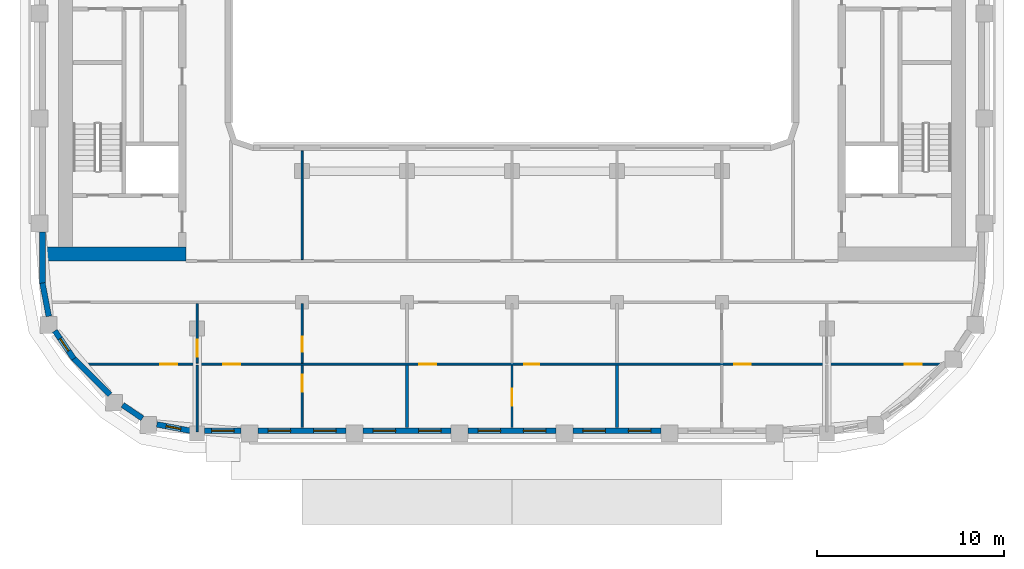
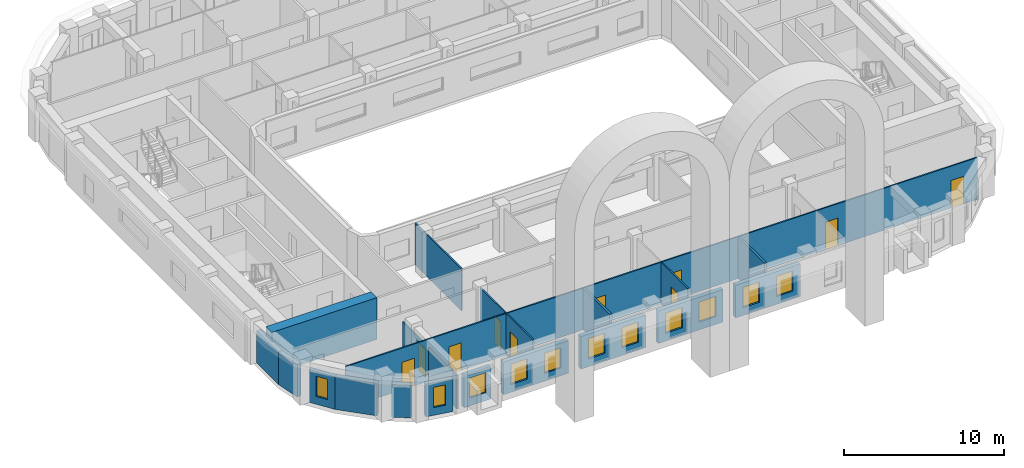
# One storey, part 2 of 18: 21 walls, 11 windows, 10 doors, 21 openings.
"""IFC4 building model written with IfcOpenShell, lengths in metres."""

from ifc_helpers import new_model, si_unit, direction, frame, frame_2d, origin, place, context, subcontext, project, spatial, rectangle, extrude, material, layer, layer_set, type_object, element, fill, save


model = new_model("IFC4")

# Units and contexts
model_context = context("Model", 3, precision=1e-05, world=origin(), true_north=direction((0.0, 1.0)))
body_context = subcontext(model_context, "Body", "Model", "MODEL_VIEW")
ifc_project = project(units=[si_unit("LENGTHUNIT", "METRE"), si_unit("AREAUNIT", "SQUARE_METRE"), si_unit("VOLUMEUNIT", "CUBIC_METRE"), si_unit("PLANEANGLEUNIT", "RADIAN"), si_unit("MASSUNIT", "GRAM", prefix="KILO")], contexts=[model_context])

# Site, building, storey
site_placement = place(None, origin())
site = spatial("IfcSite", under=ifc_project, at=site_placement, CompositionType="ELEMENT")
building_placement = place(site_placement, origin())
building = spatial("IfcBuilding", under=site, at=building_placement, Name="Kiln Ring Residences", CompositionType="ELEMENT")
storey_placement = place(building_placement, frame((0.0, 0.0, 209.89990234375)))
storey = spatial("IfcBuildingStorey", under=building, at=storey_placement, Name="L54", CompositionType="ELEMENT", Elevation=209.89990234375)

# Walls
ifc_material_1 = material(Name="Concrete C60/75", Category="concrete")
ifc_layer_1 = layer(ifc_material_1, 0.75)
ifc_layer_set_1 = layer_set([ifc_layer_1], Name="CORE-WALL-RC750")
wall_type_1 = type_object("IfcWallType", Name="CORE-WALL-RC750", PredefinedType="SHEAR", material=ifc_layer_set_1)
wall_1_placement = place(storey_placement, frame((-17.39990234375, -12.824951171875, 0.0), z_axis=(0.0, 0.0, 1.0), x_axis=(-1.0, 0.0, 0.0)))
element("IfcWall", 1, at=wall_1_placement, inside=storey, type_object=wall_type_1, Name="Core wall west L54 5", PredefinedType="SHEAR", context=body_context, shape_type="SweptSolid", body=[
    extrude(rectangle(XDim=7.60009765625, YDim=0.75, at=frame_2d((3.800048828125, 0.0))), origin(), (0.0, 0.0, 1.0), 3.2001953125),
])
ifc_material_2 = material(Name="Brick masonry, dark clay brick", Category="masonry")
ifc_layer_2 = layer(ifc_material_2, 0.300048828125)
ifc_layer_set_2 = layer_set([ifc_layer_2], Name="EW-300 BRICK WALL")
wall_type_2 = type_object("IfcWallType", Name="EW-300 BRICK WALL", PredefinedType="SOLIDWALL", material=ifc_layer_set_2)
wall_2_placement = place(storey_placement, frame((-23.39697265625, -18.390869140625, 0.0), z_axis=(0.0, 0.0, 1.0), x_axis=(0.707106781187, -0.707106781187, 0.0)))
element("IfcWall", 2, at=wall_2_placement, inside=storey, type_object=wall_type_2, Name="Facade wall L54 1", PredefinedType="SOLIDWALL", context=body_context, shape_type="SweptSolid", body=[
    extrude(rectangle(XDim=2.75, YDim=0.300048828125, at=frame_2d((1.375, 0.0))), origin(), (0.0, 0.0, 1.0), 2.5),
])
wall_3_placement = place(storey_placement, frame((-20.775146484375, -20.876220703125, 0.0), z_axis=(0.0, 0.0, 1.0), x_axis=(0.827075824828, -0.562090366388, 0.0)))
element("IfcWall", 3, at=wall_3_placement, inside=storey, type_object=wall_type_2, Name="Facade wall L54 2", PredefinedType="SOLIDWALL", context=body_context, shape_type="SweptSolid", body=[
    extrude(rectangle(XDim=1.27685546875, YDim=0.300048828125, at=frame_2d((0.638427734375, 0.0))), origin(), (0.0, 0.0, 1.0), 2.5),
])

# Wall, opening, window
wall_4_placement = place(storey_placement, frame((-18.946044921875, -21.914306640625, 0.0), z_axis=(0.0, 0.0, 1.0), x_axis=(0.98230529033, -0.187286722942, 0.0)))
wall_4 = element("IfcWall", 4, at=wall_4_placement, inside=storey, type_object=wall_type_2, Name="Facade wall L54 3", PredefinedType="SOLIDWALL", context=body_context, shape_type="SweptSolid", body=[
    extrude(rectangle(XDim=1.798828125, YDim=0.300048828125, at=frame_2d((0.8994140625, 0.0))), origin(), (0.0, 0.0, 1.0), 2.5),
])
opening_1_placement = place(wall_4_placement, frame((0.49951171875, 0.0, 0.60009765625)))
opening_1 = element("IfcOpeningElement", 5, at=opening_1_placement, cuts=wall_4, Name="Opening W5", PredefinedType="OPENING", context=body_context, shape_type="SweptSolid", body=[
    extrude(rectangle(XDim=0.800048828125, YDim=1.550048828125, at=frame_2d((0.39990234375, 0.77490234375))), frame((0.0, 0.159912109375, 0.0), z_axis=(0.0, -1.0, 0.0), x_axis=(1.0, 0.0, 0.0)), (0.0, 0.0, 1.0), 0.320068359375),
])
ifc_material_3 = material(Name="Aluminium frame with double glazing", Category="aluminium")
window_type_1 = type_object("IfcWindowType", Name="WINDOW 800 x 1550", PartitioningType="SINGLE_PANEL", PredefinedType="WINDOW", material=ifc_material_3)
window_1_placement = place(opening_1_placement, origin())
window_1 = element("IfcWindow", 6, at=window_1_placement, inside=storey, type_object=window_type_1, Name="Window L54 1", OverallHeight=1.550048828125, OverallWidth=0.800048828125, PartitioningType="SINGLE_PANEL", PredefinedType="WINDOW", context=body_context, shape_type="SweptSolid", body=[
    extrude(rectangle(XDim=0.800048828125, YDim=1.550048828125, at=frame_2d((0.39990234375, 0.77490234375))), frame((0.0, 0.030029296875, 0.0), z_axis=(0.0, -1.0, 0.0), x_axis=(1.0, 0.0, 0.0)), (0.0, 0.0, 1.0), 0.06005859375),
])
fill(opening_1, window_1)

wall_5_placement = place(storey_placement, frame((-16.39990234375, -22.25, 0.0), z_axis=(0.0, 0.0, 1.0), x_axis=(1.0, 0.0, 0.0)))
wall_5 = element("IfcWall", 7, at=wall_5_placement, inside=storey, type_object=wall_type_2, Name="Facade wall L54 4", PredefinedType="SOLIDWALL", context=body_context, shape_type="SweptSolid", body=[
    extrude(rectangle(XDim=1.949951171875, YDim=0.300048828125, at=frame_2d((0.97509765625, 0.0))), origin(), (0.0, 0.0, 1.0), 2.5),
])
opening_2_placement = place(wall_5_placement, frame((0.375, 0.0, 0.60009765625)))
opening_2 = element("IfcOpeningElement", 8, at=opening_2_placement, cuts=wall_5, Name="Opening W1", PredefinedType="OPENING", context=body_context, shape_type="SweptSolid", body=[
    extrude(rectangle(XDim=1.199951171875, YDim=1.550048828125, at=frame_2d((0.60009765625, 0.77490234375))), frame((0.0, 0.159912109375, 0.0), z_axis=(0.0, -1.0, 0.0), x_axis=(1.0, 0.0, 0.0)), (0.0, 0.0, 1.0), 0.320068359375),
])
ifc_material_4 = material(Name="Aluminium frame with double glazing", Category="aluminium")
window_type_2 = type_object("IfcWindowType", Name="WINDOW 1200 x 1550", PartitioningType="SINGLE_PANEL", PredefinedType="WINDOW", material=ifc_material_4)
window_2_placement = place(opening_2_placement, origin())
window_2 = element("IfcWindow", 9, at=window_2_placement, inside=storey, type_object=window_type_2, Name="Window L54 2", OverallHeight=1.550048828125, OverallWidth=1.199951171875, PartitioningType="SINGLE_PANEL", PredefinedType="WINDOW", context=body_context, shape_type="SweptSolid", body=[
    extrude(rectangle(XDim=1.199951171875, YDim=1.550048828125, at=frame_2d((0.60009765625, 0.77490234375))), frame((0.0, 0.030029296875, 0.0), z_axis=(0.0, -1.0, 0.0), x_axis=(1.0, 0.0, 0.0)), (0.0, 0.0, 1.0), 0.06005859375),
])
fill(opening_2, window_2)

# Wall, openings, windows
wall_6_placement = place(storey_placement, frame((-13.550048828125, -22.25, 0.0), z_axis=(0.0, 0.0, 1.0), x_axis=(1.0, 0.0, 0.0)))
wall_6 = element("IfcWall", 10, at=wall_6_placement, inside=storey, type_object=wall_type_2, Name="Facade wall L54 5", PredefinedType="SOLIDWALL", context=body_context, shape_type="SweptSolid", body=[
    extrude(rectangle(XDim=4.699951171875, YDim=0.300048828125, at=frame_2d((2.35009765625, 0.0))), origin(), (0.0, 0.0, 1.0), 2.5),
])
opening_3_placement = place(wall_6_placement, frame((0.53759765625, 0.0, 0.60009765625)))
opening_3 = element("IfcOpeningElement", 11, at=opening_3_placement, cuts=wall_6, Name="Opening W1", PredefinedType="OPENING", context=body_context, shape_type="SweptSolid", body=[
    extrude(rectangle(XDim=1.199951171875, YDim=1.550048828125, at=frame_2d((0.60009765625, 0.77490234375))), frame((0.0, 0.159912109375, 0.0), z_axis=(0.0, -1.0, 0.0), x_axis=(1.0, 0.0, 0.0)), (0.0, 0.0, 1.0), 0.320068359375),
])
opening_4_placement = place(wall_6_placement, frame((2.96240234375, 0.0, 0.60009765625)))
opening_4 = element("IfcOpeningElement", 12, at=opening_4_placement, cuts=wall_6, Name="Opening W1", PredefinedType="OPENING", context=body_context, shape_type="SweptSolid", body=[
    extrude(rectangle(XDim=1.199951171875, YDim=1.550048828125, at=frame_2d((0.60009765625, 0.77490234375))), frame((0.0, 0.159912109375, 0.0), z_axis=(0.0, -1.0, 0.0), x_axis=(1.0, 0.0, 0.0)), (0.0, 0.0, 1.0), 0.320068359375),
])
window_3_placement = place(opening_3_placement, origin())
window_3 = element("IfcWindow", 13, at=window_3_placement, inside=storey, type_object=window_type_2, Name="Window L54 3", OverallHeight=1.550048828125, OverallWidth=1.199951171875, PartitioningType="SINGLE_PANEL", PredefinedType="WINDOW", context=body_context, shape_type="SweptSolid", body=[
    extrude(rectangle(XDim=1.199951171875, YDim=1.550048828125, at=frame_2d((0.60009765625, 0.77490234375))), frame((0.0, 0.030029296875, 0.0), z_axis=(0.0, -1.0, 0.0), x_axis=(1.0, 0.0, 0.0)), (0.0, 0.0, 1.0), 0.06005859375),
])
fill(opening_3, window_3)
window_4_placement = place(opening_4_placement, origin())
window_4 = element("IfcWindow", 14, at=window_4_placement, inside=storey, type_object=window_type_2, Name="Window L54 4", OverallHeight=1.550048828125, OverallWidth=1.199951171875, PartitioningType="SINGLE_PANEL", PredefinedType="WINDOW", context=body_context, shape_type="SweptSolid", body=[
    extrude(rectangle(XDim=1.199951171875, YDim=1.550048828125, at=frame_2d((0.60009765625, 0.77490234375))), frame((0.0, 0.030029296875, 0.0), z_axis=(0.0, -1.0, 0.0), x_axis=(1.0, 0.0, 0.0)), (0.0, 0.0, 1.0), 0.06005859375),
])
fill(opening_4, window_4)

wall_7_placement = place(storey_placement, frame((-7.949951171875, -22.25, 0.0), z_axis=(0.0, 0.0, 1.0), x_axis=(1.0, 0.0, 0.0)))
wall_7 = element("IfcWall", 15, at=wall_7_placement, inside=storey, type_object=wall_type_2, Name="Facade wall L54 6", PredefinedType="SOLIDWALL", context=body_context, shape_type="SweptSolid", body=[
    extrude(rectangle(XDim=4.699951171875, YDim=0.300048828125, at=frame_2d((2.35009765625, 0.0))), origin(), (0.0, 0.0, 1.0), 2.5),
])
opening_5_placement = place(wall_7_placement, frame((0.53759765625, 0.0, 0.60009765625)))
opening_5 = element("IfcOpeningElement", 16, at=opening_5_placement, cuts=wall_7, Name="Opening W1", PredefinedType="OPENING", context=body_context, shape_type="SweptSolid", body=[
    extrude(rectangle(XDim=1.199951171875, YDim=1.550048828125, at=frame_2d((0.60009765625, 0.77490234375))), frame((0.0, 0.159912109375, 0.0), z_axis=(0.0, -1.0, 0.0), x_axis=(1.0, 0.0, 0.0)), (0.0, 0.0, 1.0), 0.320068359375),
])
opening_6_placement = place(wall_7_placement, frame((2.96240234375, 0.0, 0.60009765625)))
opening_6 = element("IfcOpeningElement", 17, at=opening_6_placement, cuts=wall_7, Name="Opening W1", PredefinedType="OPENING", context=body_context, shape_type="SweptSolid", body=[
    extrude(rectangle(XDim=1.199951171875, YDim=1.550048828125, at=frame_2d((0.60009765625, 0.77490234375))), frame((0.0, 0.159912109375, 0.0), z_axis=(0.0, -1.0, 0.0), x_axis=(1.0, 0.0, 0.0)), (0.0, 0.0, 1.0), 0.320068359375),
])
window_5_placement = place(opening_5_placement, origin())
window_5 = element("IfcWindow", 18, at=window_5_placement, inside=storey, type_object=window_type_2, Name="Window L54 5", OverallHeight=1.550048828125, OverallWidth=1.199951171875, PartitioningType="SINGLE_PANEL", PredefinedType="WINDOW", context=body_context, shape_type="SweptSolid", body=[
    extrude(rectangle(XDim=1.199951171875, YDim=1.550048828125, at=frame_2d((0.60009765625, 0.77490234375))), frame((0.0, 0.030029296875, 0.0), z_axis=(0.0, -1.0, 0.0), x_axis=(1.0, 0.0, 0.0)), (0.0, 0.0, 1.0), 0.06005859375),
])
fill(opening_5, window_5)
window_6_placement = place(opening_6_placement, origin())
window_6 = element("IfcWindow", 19, at=window_6_placement, inside=storey, type_object=window_type_2, Name="Window L54 6", OverallHeight=1.550048828125, OverallWidth=1.199951171875, PartitioningType="SINGLE_PANEL", PredefinedType="WINDOW", context=body_context, shape_type="SweptSolid", body=[
    extrude(rectangle(XDim=1.199951171875, YDim=1.550048828125, at=frame_2d((0.60009765625, 0.77490234375))), frame((0.0, 0.030029296875, 0.0), z_axis=(0.0, -1.0, 0.0), x_axis=(1.0, 0.0, 0.0)), (0.0, 0.0, 1.0), 0.06005859375),
])
fill(opening_6, window_6)

wall_8_placement = place(storey_placement, frame((-2.35009765625, -22.25, 0.0), z_axis=(0.0, 0.0, 1.0), x_axis=(1.0, 0.0, 0.0)))
wall_8 = element("IfcWall", 20, at=wall_8_placement, inside=storey, type_object=wall_type_2, Name="Facade wall L54 7", PredefinedType="SOLIDWALL", context=body_context, shape_type="SweptSolid", body=[
    extrude(rectangle(XDim=4.7001953125, YDim=0.300048828125, at=frame_2d((2.35009765625, 0.0))), origin(), (0.0, 0.0, 1.0), 2.5),
])
opening_7_placement = place(wall_8_placement, frame((0.53759765625, 0.0, 0.60009765625)))
opening_7 = element("IfcOpeningElement", 21, at=opening_7_placement, cuts=wall_8, Name="Opening W1", PredefinedType="OPENING", context=body_context, shape_type="SweptSolid", body=[
    extrude(rectangle(XDim=1.199951171875, YDim=1.550048828125, at=frame_2d((0.60009765625, 0.77490234375))), frame((0.0, 0.159912109375, 0.0), z_axis=(0.0, -1.0, 0.0), x_axis=(1.0, 0.0, 0.0)), (0.0, 0.0, 1.0), 0.320068359375),
])
opening_8_placement = place(wall_8_placement, frame((2.96240234375, 0.0, 0.60009765625)))
opening_8 = element("IfcOpeningElement", 22, at=opening_8_placement, cuts=wall_8, Name="Opening W1", PredefinedType="OPENING", context=body_context, shape_type="SweptSolid", body=[
    extrude(rectangle(XDim=1.199951171875, YDim=1.550048828125, at=frame_2d((0.60009765625, 0.77490234375))), frame((0.0, 0.159912109375, 0.0), z_axis=(0.0, -1.0, 0.0), x_axis=(1.0, 0.0, 0.0)), (0.0, 0.0, 1.0), 0.320068359375),
])
window_7_placement = place(opening_7_placement, origin())
window_7 = element("IfcWindow", 23, at=window_7_placement, inside=storey, type_object=window_type_2, Name="Window L54 7", OverallHeight=1.550048828125, OverallWidth=1.199951171875, PartitioningType="SINGLE_PANEL", PredefinedType="WINDOW", context=body_context, shape_type="SweptSolid", body=[
    extrude(rectangle(XDim=1.199951171875, YDim=1.550048828125, at=frame_2d((0.60009765625, 0.77490234375))), frame((0.0, 0.030029296875, 0.0), z_axis=(0.0, -1.0, 0.0), x_axis=(1.0, 0.0, 0.0)), (0.0, 0.0, 1.0), 0.06005859375),
])
fill(opening_7, window_7)
window_8_placement = place(opening_8_placement, origin())
window_8 = element("IfcWindow", 24, at=window_8_placement, inside=storey, type_object=window_type_2, Name="Window L54 8", OverallHeight=1.550048828125, OverallWidth=1.199951171875, PartitioningType="SINGLE_PANEL", PredefinedType="WINDOW", context=body_context, shape_type="SweptSolid", body=[
    extrude(rectangle(XDim=1.199951171875, YDim=1.550048828125, at=frame_2d((0.60009765625, 0.77490234375))), frame((0.0, 0.030029296875, 0.0), z_axis=(0.0, -1.0, 0.0), x_axis=(1.0, 0.0, 0.0)), (0.0, 0.0, 1.0), 0.06005859375),
])
fill(opening_8, window_8)

wall_9_placement = place(storey_placement, frame((3.25, -22.25, 0.0), z_axis=(0.0, 0.0, 1.0), x_axis=(1.0, 0.0, 0.0)))
wall_9 = element("IfcWall", 25, at=wall_9_placement, inside=storey, type_object=wall_type_2, Name="Facade wall L54 8", PredefinedType="SOLIDWALL", context=body_context, shape_type="SweptSolid", body=[
    extrude(rectangle(XDim=4.699951171875, YDim=0.300048828125, at=frame_2d((2.35009765625, 0.0))), origin(), (0.0, 0.0, 1.0), 2.5),
])
opening_9_placement = place(wall_9_placement, frame((0.53759765625, 0.0, 0.60009765625)))
opening_9 = element("IfcOpeningElement", 26, at=opening_9_placement, cuts=wall_9, Name="Opening W1", PredefinedType="OPENING", context=body_context, shape_type="SweptSolid", body=[
    extrude(rectangle(XDim=1.199951171875, YDim=1.550048828125, at=frame_2d((0.60009765625, 0.77490234375))), frame((0.0, 0.159912109375, 0.0), z_axis=(0.0, -1.0, 0.0), x_axis=(1.0, 0.0, 0.0)), (0.0, 0.0, 1.0), 0.320068359375),
])
opening_10_placement = place(wall_9_placement, frame((2.96240234375, 0.0, 0.60009765625)))
opening_10 = element("IfcOpeningElement", 27, at=opening_10_placement, cuts=wall_9, Name="Opening W1", PredefinedType="OPENING", context=body_context, shape_type="SweptSolid", body=[
    extrude(rectangle(XDim=1.199951171875, YDim=1.550048828125, at=frame_2d((0.60009765625, 0.77490234375))), frame((0.0, 0.159912109375, 0.0), z_axis=(0.0, -1.0, 0.0), x_axis=(1.0, 0.0, 0.0)), (0.0, 0.0, 1.0), 0.320068359375),
])
window_9_placement = place(opening_9_placement, origin())
window_9 = element("IfcWindow", 28, at=window_9_placement, inside=storey, type_object=window_type_2, Name="Window L54 9", OverallHeight=1.550048828125, OverallWidth=1.199951171875, PartitioningType="SINGLE_PANEL", PredefinedType="WINDOW", context=body_context, shape_type="SweptSolid", body=[
    extrude(rectangle(XDim=1.199951171875, YDim=1.550048828125, at=frame_2d((0.60009765625, 0.77490234375))), frame((0.0, 0.030029296875, 0.0), z_axis=(0.0, -1.0, 0.0), x_axis=(1.0, 0.0, 0.0)), (0.0, 0.0, 1.0), 0.06005859375),
])
fill(opening_9, window_9)
window_10_placement = place(opening_10_placement, origin())
window_10 = element("IfcWindow", 29, at=window_10_placement, inside=storey, type_object=window_type_2, Name="Window L54 10", OverallHeight=1.550048828125, OverallWidth=1.199951171875, PartitioningType="SINGLE_PANEL", PredefinedType="WINDOW", context=body_context, shape_type="SweptSolid", body=[
    extrude(rectangle(XDim=1.199951171875, YDim=1.550048828125, at=frame_2d((0.60009765625, 0.77490234375))), frame((0.0, 0.030029296875, 0.0), z_axis=(0.0, -1.0, 0.0), x_axis=(1.0, 0.0, 0.0)), (0.0, 0.0, 1.0), 0.06005859375),
])
fill(opening_10, window_10)

# Walls
wall_10_placement = place(storey_placement, frame((-25.050048828125, -11.64990234375, 0.0), z_axis=(0.0, 0.0, 1.0), x_axis=(0.0, -1.0, 0.0)))
element("IfcWall", 30, at=wall_10_placement, inside=storey, type_object=wall_type_2, Name="Facade wall L54 44", PredefinedType="SOLIDWALL", context=body_context, shape_type="SweptSolid", body=[
    extrude(rectangle(XDim=2.75, YDim=0.300048828125, at=frame_2d((1.375, 0.0))), origin(), (0.0, 0.0, 1.0), 2.5),
])
wall_11_placement = place(storey_placement, frame((-25.052734375, -14.371826171875, 0.0), z_axis=(0.0, 0.0, 1.0), x_axis=(0.187348135549, -0.982293579388, 0.0)))
element("IfcWall", 31, at=wall_11_placement, inside=storey, type_object=wall_type_2, Name="Facade wall L54 45", PredefinedType="SOLIDWALL", context=body_context, shape_type="SweptSolid", body=[
    extrude(rectangle(XDim=1.80615234375, YDim=0.300048828125, at=frame_2d((0.903076171875, 0.0))), origin(), (0.0, 0.0, 1.0), 2.5),
])

# Wall, opening, window
wall_12_placement = place(storey_placement, frame((-24.39404296875, -16.9189453125, 0.0), z_axis=(0.0, 0.0, 1.0), x_axis=(0.562040093569, -0.827109988588, 0.0)))
wall_12 = element("IfcWall", 32, at=wall_12_placement, inside=storey, type_object=wall_type_2, Name="Facade wall L54 46", PredefinedType="SOLIDWALL", context=body_context, shape_type="SweptSolid", body=[
    extrude(rectangle(XDim=1.80615234375, YDim=0.300048828125, at=frame_2d((0.903076171875, 0.0))), origin(), (0.0, 0.0, 1.0), 2.5),
])
opening_11_placement = place(wall_12_placement, frame((0.5029296875, 0.0, 0.60009765625)))
opening_11 = element("IfcOpeningElement", 33, at=opening_11_placement, cuts=wall_12, Name="Opening W5", PredefinedType="OPENING", context=body_context, shape_type="SweptSolid", body=[
    extrude(rectangle(XDim=0.800048828125, YDim=1.550048828125, at=frame_2d((0.39990234375, 0.77490234375))), frame((0.0, 0.159912109375, 0.0), z_axis=(0.0, -1.0, 0.0), x_axis=(1.0, 0.0, 0.0)), (0.0, 0.0, 1.0), 0.320068359375),
])
window_11_placement = place(opening_11_placement, origin())
window_11 = element("IfcWindow", 34, at=window_11_placement, inside=storey, type_object=window_type_1, Name="Window L54 33", OverallHeight=1.550048828125, OverallWidth=0.800048828125, PartitioningType="SINGLE_PANEL", PredefinedType="WINDOW", context=body_context, shape_type="SweptSolid", body=[
    extrude(rectangle(XDim=0.800048828125, YDim=1.550048828125, at=frame_2d((0.39990234375, 0.77490234375))), frame((0.0, 0.030029296875, 0.0), z_axis=(0.0, -1.0, 0.0), x_axis=(1.0, 0.0, 0.0)), (0.0, 0.0, 1.0), 0.06005859375),
])
fill(opening_11, window_11)

# Wall, openings, doors
ifc_material_5 = material(Name="Gypsum board on steel studs", Category="steel")
ifc_layer_3 = layer(ifc_material_5, 0.10009765625)
ifc_layer_set_3 = layer_set([ifc_layer_3], Name="PARTITION-100")
wall_type_3 = type_object("IfcWallType", Name="PARTITION-100", PredefinedType="PARTITIONING", material=ifc_layer_set_3)
wall_13_placement = place(storey_placement, frame((-22.855712890625, -18.699951171875, 0.0), z_axis=(0.0, 0.0, 1.0), x_axis=(1.0, 0.0, 0.0)))
wall_13 = element("IfcWall", 35, at=wall_13_placement, inside=storey, type_object=wall_type_3, Name="Partition 000", PredefinedType="PARTITIONING", context=body_context, shape_type="SweptSolid", body=[
    extrude(rectangle(XDim=45.71142578125, YDim=0.10009765625, at=frame_2d((22.855712890625, 0.0))), origin(), (0.0, 0.0, 1.0), 3.2001953125),
])
opening_12_placement = place(wall_13_placement, frame((4.083740234375, 0.0, 0.0)))
opening_12 = element("IfcOpeningElement", 36, at=opening_12_placement, cuts=wall_13, Name="Opening L54-D042", PredefinedType="OPENING", context=body_context, shape_type="SweptSolid", body=[
    extrude(rectangle(XDim=0.89990234375, YDim=2.10009765625, at=frame_2d((0.449951171875, 1.050048828125))), frame((0.0, 0.06005859375, 0.0), z_axis=(0.0, -1.0, 0.0), x_axis=(1.0, 0.0, 0.0)), (0.0, 0.0, 1.0), 0.1201171875),
])
opening_13_placement = place(wall_13_placement, frame((7.455810546875, 0.0, 0.0)))
opening_13 = element("IfcOpeningElement", 37, at=opening_13_placement, cuts=wall_13, Name="Opening L54-D043", PredefinedType="OPENING", context=body_context, shape_type="SweptSolid", body=[
    extrude(rectangle(XDim=0.89990234375, YDim=2.10009765625, at=frame_2d((0.449951171875, 1.050048828125))), frame((0.0, 0.06005859375, 0.0), z_axis=(0.0, -1.0, 0.0), x_axis=(1.0, 0.0, 0.0)), (0.0, 0.0, 1.0), 0.1201171875),
])
opening_14_placement = place(wall_13_placement, frame((23.505615234375, 0.0, 0.0)))
opening_14 = element("IfcOpeningElement", 38, at=opening_14_placement, cuts=wall_13, Name="Opening L54-D046", PredefinedType="OPENING", context=body_context, shape_type="SweptSolid", body=[
    extrude(rectangle(XDim=0.800048828125, YDim=2.10009765625, at=frame_2d((0.39990234375, 1.050048828125))), frame((0.0, 0.06005859375, 0.0), z_axis=(0.0, -1.0, 0.0), x_axis=(1.0, 0.0, 0.0)), (0.0, 0.0, 1.0), 0.1201171875),
])
opening_15_placement = place(wall_13_placement, frame((17.90576171875, 0.0, 0.0)))
opening_15 = element("IfcOpeningElement", 39, at=opening_15_placement, cuts=wall_13, Name="Opening L54-D047", PredefinedType="OPENING", context=body_context, shape_type="SweptSolid", body=[
    extrude(rectangle(XDim=0.89990234375, YDim=2.10009765625, at=frame_2d((0.449951171875, 1.050048828125))), frame((0.0, 0.06005859375, 0.0), z_axis=(0.0, -1.0, 0.0), x_axis=(1.0, 0.0, 0.0)), (0.0, 0.0, 1.0), 0.1201171875),
])
opening_16_placement = place(wall_13_placement, frame((43.8056640625, 0.0, 0.0)))
opening_16 = element("IfcOpeningElement", 40, at=opening_16_placement, cuts=wall_13, Name="Opening L54-D052", PredefinedType="OPENING", context=body_context, shape_type="SweptSolid", body=[
    extrude(rectangle(XDim=0.89990234375, YDim=2.10009765625, at=frame_2d((0.449951171875, 1.050048828125))), frame((0.0, 0.06005859375, 0.0), z_axis=(0.0, -1.0, 0.0), x_axis=(1.0, 0.0, 0.0)), (0.0, 0.0, 1.0), 0.1201171875),
])
opening_17_placement = place(wall_13_placement, frame((34.705810546875, 0.0, 0.0)))
opening_17 = element("IfcOpeningElement", 41, at=opening_17_placement, cuts=wall_13, Name="Opening L54-D053", PredefinedType="OPENING", context=body_context, shape_type="SweptSolid", body=[
    extrude(rectangle(XDim=0.89990234375, YDim=2.10009765625, at=frame_2d((0.449951171875, 1.050048828125))), frame((0.0, 0.06005859375, 0.0), z_axis=(0.0, -1.0, 0.0), x_axis=(1.0, 0.0, 0.0)), (0.0, 0.0, 1.0), 0.1201171875),
])
ifc_material_6 = material(Name="Timber door leaf", Category="wood")
door_type_1 = type_object("IfcDoorType", Name="FLAT-DOOR-800-PL", OperationType="SINGLE_SWING_LEFT", PredefinedType="DOOR", material=ifc_material_6)
door_1_placement = place(opening_14_placement, origin())
door_1 = element("IfcDoor", 42, at=door_1_placement, inside=storey, type_object=door_type_1, Name="Door L54-D046", OperationType="SINGLE_SWING_RIGHT", OverallHeight=2.10009765625, OverallWidth=0.800048828125, PredefinedType="DOOR", context=body_context, shape_type="SweptSolid", body=[
    extrude(rectangle(XDim=0.800048828125, YDim=2.10009765625, at=frame_2d((0.39990234375, 1.050048828125))), frame((0.0, 0.02490234375, 0.0), z_axis=(0.0, -1.0, 0.0), x_axis=(1.0, 0.0, 0.0)), (0.0, 0.0, 1.0), 0.050048828125),
])
fill(opening_14, door_1)
ifc_material_7 = material(Name="Timber door leaf", Category="wood")
door_type_2 = type_object("IfcDoorType", Name="FLAT-DOOR-900-PL", OperationType="SINGLE_SWING_LEFT", PredefinedType="DOOR", material=ifc_material_7)
door_2_placement = place(opening_12_placement, origin())
door_2 = element("IfcDoor", 43, at=door_2_placement, inside=storey, type_object=door_type_2, Name="Door L54-D042", OperationType="SINGLE_SWING_RIGHT", OverallHeight=2.10009765625, OverallWidth=0.89990234375, PredefinedType="DOOR", context=body_context, shape_type="SweptSolid", body=[
    extrude(rectangle(XDim=0.89990234375, YDim=2.10009765625, at=frame_2d((0.449951171875, 1.050048828125))), frame((0.0, 0.02490234375, 0.0), z_axis=(0.0, -1.0, 0.0), x_axis=(1.0, 0.0, 0.0)), (0.0, 0.0, 1.0), 0.050048828125),
])
fill(opening_12, door_2)
door_3_placement = place(opening_13_placement, origin())
door_3 = element("IfcDoor", 44, at=door_3_placement, inside=storey, type_object=door_type_2, Name="Door L54-D043", OperationType="SINGLE_SWING_LEFT", OverallHeight=2.10009765625, OverallWidth=0.89990234375, PredefinedType="DOOR", context=body_context, shape_type="SweptSolid", body=[
    extrude(rectangle(XDim=0.89990234375, YDim=2.10009765625, at=frame_2d((0.449951171875, 1.050048828125))), frame((0.0, 0.02490234375, 0.0), z_axis=(0.0, -1.0, 0.0), x_axis=(1.0, 0.0, 0.0)), (0.0, 0.0, 1.0), 0.050048828125),
])
fill(opening_13, door_3)
door_4_placement = place(opening_15_placement, origin())
door_4 = element("IfcDoor", 45, at=door_4_placement, inside=storey, type_object=door_type_2, Name="Door L54-D047", OperationType="SINGLE_SWING_LEFT", OverallHeight=2.10009765625, OverallWidth=0.89990234375, PredefinedType="DOOR", context=body_context, shape_type="SweptSolid", body=[
    extrude(rectangle(XDim=0.89990234375, YDim=2.10009765625, at=frame_2d((0.449951171875, 1.050048828125))), frame((0.0, 0.02490234375, 0.0), z_axis=(0.0, -1.0, 0.0), x_axis=(1.0, 0.0, 0.0)), (0.0, 0.0, 1.0), 0.050048828125),
])
fill(opening_15, door_4)
door_5_placement = place(opening_16_placement, origin())
door_5 = element("IfcDoor", 46, at=door_5_placement, inside=storey, type_object=door_type_2, Name="Door L54-D052", OperationType="SINGLE_SWING_RIGHT", OverallHeight=2.10009765625, OverallWidth=0.89990234375, PredefinedType="DOOR", context=body_context, shape_type="SweptSolid", body=[
    extrude(rectangle(XDim=0.89990234375, YDim=2.10009765625, at=frame_2d((0.449951171875, 1.050048828125))), frame((0.0, 0.02490234375, 0.0), z_axis=(0.0, -1.0, 0.0), x_axis=(1.0, 0.0, 0.0)), (0.0, 0.0, 1.0), 0.050048828125),
])
fill(opening_16, door_5)
door_6_placement = place(opening_17_placement, origin())
door_6 = element("IfcDoor", 47, at=door_6_placement, inside=storey, type_object=door_type_2, Name="Door L54-D053", OperationType="SINGLE_SWING_LEFT", OverallHeight=2.10009765625, OverallWidth=0.89990234375, PredefinedType="DOOR", context=body_context, shape_type="SweptSolid", body=[
    extrude(rectangle(XDim=0.89990234375, YDim=2.10009765625, at=frame_2d((0.449951171875, 1.050048828125))), frame((0.0, 0.02490234375, 0.0), z_axis=(0.0, -1.0, 0.0), x_axis=(1.0, 0.0, 0.0)), (0.0, 0.0, 1.0), 0.050048828125),
])
fill(opening_17, door_6)

# Wall
wall_14_placement = place(storey_placement, frame((-16.800048828125, -22.31005859375, 0.0), z_axis=(0.0, 0.0, 1.0), x_axis=(0.0, 1.0, 0.0)))
element("IfcWall", 48, at=wall_14_placement, inside=storey, type_object=wall_type_3, Name="Partition 007", PredefinedType="PARTITIONING", context=body_context, shape_type="SweptSolid", body=[
    extrude(rectangle(XDim=3.56005859375, YDim=0.10009765625, at=frame_2d((1.780029296875, 0.0))), origin(), (0.0, 0.0, 1.0), 2.550048828125),
])

# Wall, opening, door
wall_15_placement = place(storey_placement, frame((-16.800048828125, -18.64990234375, 0.0), z_axis=(0.0, 0.0, 1.0), x_axis=(0.0, 1.0, 0.0)))
wall_15 = element("IfcWall", 49, at=wall_15_placement, inside=storey, type_object=wall_type_3, Name="Partition 008", PredefinedType="PARTITIONING", context=body_context, shape_type="SweptSolid", body=[
    extrude(rectangle(XDim=3.1748046875, YDim=0.10009765625, at=frame_2d((1.58740234375, 0.0))), origin(), (0.0, 0.0, 1.0), 2.550048828125),
])
opening_18_placement = place(wall_15_placement, frame((0.35009765625, 0.0, 0.0)))
opening_18 = element("IfcOpeningElement", 50, at=opening_18_placement, cuts=wall_15, Name="Opening L54-D040", PredefinedType="OPENING", context=body_context, shape_type="SweptSolid", body=[
    extrude(rectangle(XDim=0.89990234375, YDim=2.10009765625, at=frame_2d((0.449951171875, 1.050048828125))), frame((0.0, 0.06005859375, 0.0), z_axis=(0.0, -1.0, 0.0), x_axis=(1.0, 0.0, 0.0)), (0.0, 0.0, 1.0), 0.1201171875),
])
door_7_placement = place(opening_18_placement, origin())
door_7 = element("IfcDoor", 51, at=door_7_placement, inside=storey, type_object=door_type_2, Name="Door L54-D040", OperationType="SINGLE_SWING_LEFT", OverallHeight=2.10009765625, OverallWidth=0.89990234375, PredefinedType="DOOR", context=body_context, shape_type="SweptSolid", body=[
    extrude(rectangle(XDim=0.89990234375, YDim=2.10009765625, at=frame_2d((0.449951171875, 1.050048828125))), frame((0.0, 0.02490234375, 0.0), z_axis=(0.0, -1.0, 0.0), x_axis=(1.0, 0.0, 0.0)), (0.0, 0.0, 1.0), 0.050048828125),
])
fill(opening_18, door_7)

wall_16_placement = place(storey_placement, frame((-11.199951171875, -22.080078125, 0.0), z_axis=(0.0, 0.0, 1.0), x_axis=(0.0, 1.0, 0.0)))
wall_16 = element("IfcWall", 52, at=wall_16_placement, inside=storey, type_object=wall_type_3, Name="Partition 013", PredefinedType="PARTITIONING", context=body_context, shape_type="SweptSolid", body=[
    extrude(rectangle(XDim=3.330078125, YDim=0.10009765625, at=frame_2d((1.6650390625, 0.0))), origin(), (0.0, 0.0, 1.0), 3.2001953125),
])
opening_19_placement = place(wall_16_placement, frame((1.919921875, 0.0, 0.0)))
opening_19 = element("IfcOpeningElement", 53, at=opening_19_placement, cuts=wall_16, Name="Opening L54-D044", PredefinedType="OPENING", context=body_context, shape_type="SweptSolid", body=[
    extrude(rectangle(XDim=0.89990234375, YDim=2.10009765625, at=frame_2d((0.449951171875, 1.050048828125))), frame((0.0, 0.06005859375, 0.0), z_axis=(0.0, -1.0, 0.0), x_axis=(1.0, 0.0, 0.0)), (0.0, 0.0, 1.0), 0.1201171875),
])
door_8_placement = place(opening_19_placement, origin())
door_8 = element("IfcDoor", 54, at=door_8_placement, inside=storey, type_object=door_type_2, Name="Door L54-D044", OperationType="SINGLE_SWING_RIGHT", OverallHeight=2.10009765625, OverallWidth=0.89990234375, PredefinedType="DOOR", context=body_context, shape_type="SweptSolid", body=[
    extrude(rectangle(XDim=0.89990234375, YDim=2.10009765625, at=frame_2d((0.449951171875, 1.050048828125))), frame((0.0, 0.02490234375, 0.0), z_axis=(0.0, -1.0, 0.0), x_axis=(1.0, 0.0, 0.0)), (0.0, 0.0, 1.0), 0.050048828125),
])
fill(opening_19, door_8)

wall_17_placement = place(storey_placement, frame((-11.199951171875, -18.64990234375, 0.0), z_axis=(0.0, 0.0, 1.0), x_axis=(0.0, 1.0, 0.0)))
wall_17 = element("IfcWall", 55, at=wall_17_placement, inside=storey, type_object=wall_type_3, Name="Partition 014", PredefinedType="PARTITIONING", context=body_context, shape_type="SweptSolid", body=[
    extrude(rectangle(XDim=3.1748046875, YDim=0.10009765625, at=frame_2d((1.58740234375, 0.0))), origin(), (0.0, 0.0, 1.0), 3.2001953125),
])
opening_20_placement = place(wall_17_placement, frame((0.60009765625, 0.0, 0.0)))
opening_20 = element("IfcOpeningElement", 56, at=opening_20_placement, cuts=wall_17, Name="Opening L54-D041", PredefinedType="OPENING", context=body_context, shape_type="SweptSolid", body=[
    extrude(rectangle(XDim=0.800048828125, YDim=2.10009765625, at=frame_2d((0.39990234375, 1.050048828125))), frame((0.0, 0.06005859375, 0.0), z_axis=(0.0, -1.0, 0.0), x_axis=(1.0, 0.0, 0.0)), (0.0, 0.0, 1.0), 0.1201171875),
])
door_9_placement = place(opening_20_placement, origin())
door_9 = element("IfcDoor", 57, at=door_9_placement, inside=storey, type_object=door_type_1, Name="Door L54-D041", OperationType="SINGLE_SWING_LEFT", OverallHeight=2.10009765625, OverallWidth=0.800048828125, PredefinedType="DOOR", context=body_context, shape_type="SweptSolid", body=[
    extrude(rectangle(XDim=0.800048828125, YDim=2.10009765625, at=frame_2d((0.39990234375, 1.050048828125))), frame((0.0, 0.02490234375, 0.0), z_axis=(0.0, -1.0, 0.0), x_axis=(1.0, 0.0, 0.0)), (0.0, 0.0, 1.0), 0.050048828125),
])
fill(opening_20, door_9)

# Wall
wall_18_placement = place(storey_placement, frame((-11.199951171875, -13.125, 0.0), z_axis=(0.0, 0.0, 1.0), x_axis=(0.0, 1.0, 0.0)))
element("IfcWall", 58, at=wall_18_placement, inside=storey, type_object=wall_type_3, Name="Partition 015", PredefinedType="PARTITIONING", context=body_context, shape_type="SweptSolid", body=[
    extrude(rectangle(XDim=5.804931640625, YDim=0.10009765625, at=frame_2d((2.90234375, 0.0))), origin(), (0.0, 0.0, 1.0), 3.2001953125),
])

# Wall, opening, door
wall_19_placement = place(storey_placement, frame((0.0, -22.080078125, 0.0), z_axis=(0.0, 0.0, 1.0), x_axis=(0.0, 1.0, 0.0)))
wall_19 = element("IfcWall", 59, at=wall_19_placement, inside=storey, type_object=wall_type_3, Name="Partition 027", PredefinedType="PARTITIONING", context=body_context, shape_type="SweptSolid", body=[
    extrude(rectangle(XDim=3.330078125, YDim=0.10009765625, at=frame_2d((1.6650390625, 0.0))), origin(), (0.0, 0.0, 1.0), 3.2001953125),
])
opening_21_placement = place(wall_19_placement, frame((1.169921875, 0.0, 0.0)))
opening_21 = element("IfcOpeningElement", 60, at=opening_21_placement, cuts=wall_19, Name="Opening L54-D048", PredefinedType="OPENING", context=body_context, shape_type="SweptSolid", body=[
    extrude(rectangle(XDim=0.89990234375, YDim=2.10009765625, at=frame_2d((0.449951171875, 1.050048828125))), frame((0.0, 0.06005859375, 0.0), z_axis=(0.0, -1.0, 0.0), x_axis=(1.0, 0.0, 0.0)), (0.0, 0.0, 1.0), 0.1201171875),
])
door_10_placement = place(opening_21_placement, origin())
door_10 = element("IfcDoor", 61, at=door_10_placement, inside=storey, type_object=door_type_2, Name="Door L54-D048", OperationType="SINGLE_SWING_RIGHT", OverallHeight=2.10009765625, OverallWidth=0.89990234375, PredefinedType="DOOR", context=body_context, shape_type="SweptSolid", body=[
    extrude(rectangle(XDim=0.89990234375, YDim=2.10009765625, at=frame_2d((0.449951171875, 1.050048828125))), frame((0.0, 0.02490234375, 0.0), z_axis=(0.0, -1.0, 0.0), x_axis=(1.0, 0.0, 0.0)), (0.0, 0.0, 1.0), 0.050048828125),
])
fill(opening_21, door_10)

# Walls
ifc_material_8 = material(Name="Brick masonry partition", Category="masonry")
ifc_layer_4 = layer(ifc_material_8, 0.14990234375)
ifc_layer_set_4 = layer_set([ifc_layer_4], Name="PARTITION-150-ei60")
wall_type_4 = type_object("IfcWallType", Name="PARTITION-150-ei60", PredefinedType="PARTITIONING", material=ifc_layer_set_4)
for number, where, z_axis, x_axis, name in (
    (62, (-5.60009765625, -22.080078125, 0.0), (0.0, 0.0, 1.0), (0.0, 1.0, 0.0), "Partition 023"),
    (63, (5.60009765625, -22.080078125, 0.0), (0.0, 0.0, 1.0), (0.0, 1.0, 0.0), "Partition 037"),
):
    element("IfcWall", number, at=place(storey_placement, frame(where, z_axis=z_axis, x_axis=x_axis)), inside=storey, type_object=wall_type_4, Name=name, PredefinedType="PARTITIONING", context=body_context, shape_type="SweptSolid", body=[
        extrude(rectangle(XDim=3.330078125, YDim=0.14990234375, at=frame_2d((1.6650390625, 0.0))), origin(), (0.0, 0.0, 1.0), 3.2001953125),
    ])

save(model, "model.ifc")
